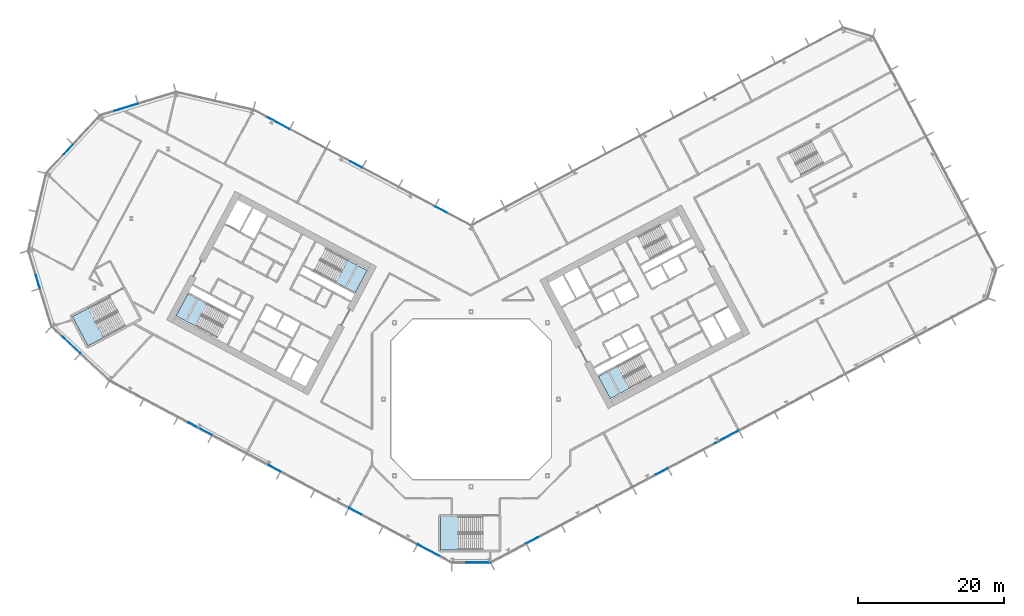
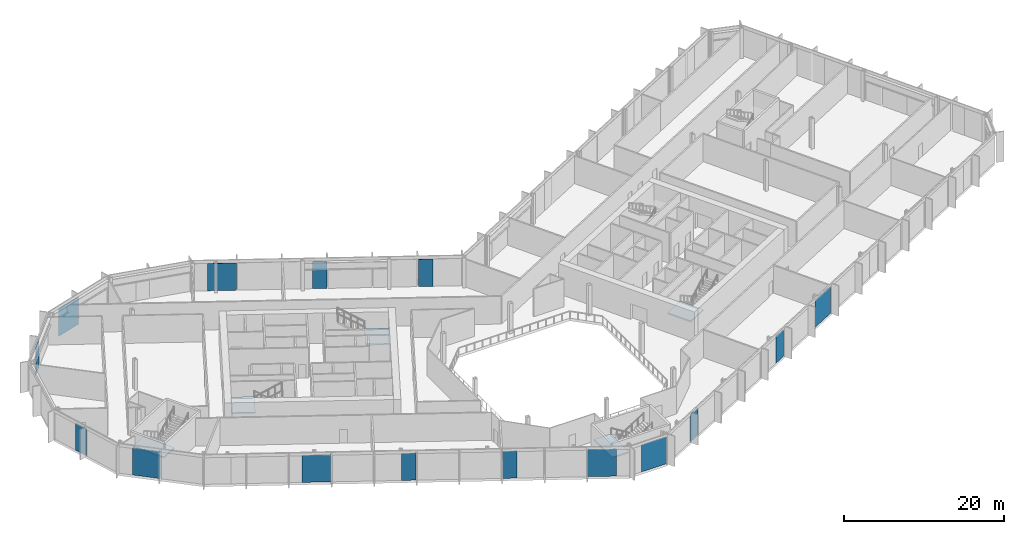
# One storey, part 10 of 31: 15 plates, 5 slabs, 13 elements without a shape of their own.
"""IFC4 building model written with IfcOpenShell, lengths in metres."""

from ifc_helpers import new_model, si_unit, direction, frame, origin, origin_2d, place, context, subcontext, project, spatial, polyline, rectangle, outline, extrude, material, layer, layer_set, type_object, element, aggregate, save


model = new_model("IFC4")

# Units and contexts
model_context = context("Model", 3, precision=1e-05, world=origin(), true_north=direction((0.0, 1.0)))
body_context = subcontext(model_context, "Body", "Model", "MODEL_VIEW")
ifc_project = project(units=[si_unit("LENGTHUNIT", "METRE"), si_unit("AREAUNIT", "SQUARE_METRE"), si_unit("VOLUMEUNIT", "CUBIC_METRE"), si_unit("PLANEANGLEUNIT", "RADIAN"), si_unit("MASSUNIT", "GRAM", prefix="KILO")], contexts=[model_context])

# Site, building, storey
site_placement = place(None, origin())
site = spatial("IfcSite", under=ifc_project, at=site_placement, CompositionType="ELEMENT")
building_placement = place(site_placement, origin())
building = spatial("IfcBuilding", under=site, at=building_placement, Name="Cormorant Relay Tower", CompositionType="ELEMENT")
storey_placement = place(building_placement, frame((0.0, 0.0, 98.39990234375)))
storey = spatial("IfcBuildingStorey", under=building, at=storey_placement, Name="L19", CompositionType="ELEMENT", Elevation=98.39990234375)

# Curtain wall, plates
ifc_material_1 = material(Name="Aluminium 6063-T6 anodised bronze", Category="aluminium")
ifc_layer_1 = layer(ifc_material_1, 0.199951171875)
ifc_layer_set_1 = layer_set([ifc_layer_1], Name="CW1 unitised bronze curtain wall with vertical fins")
curtain_wall_type = type_object("IfcCurtainWallType", Name="CW1 unitised bronze curtain wall with vertical fins", PredefinedType="NOTDEFINED", material=ifc_layer_set_1)
curtain_wall_1_placement = place(storey_placement, origin())
curtain_wall_1 = element("IfcCurtainWall", 1, at=curtain_wall_1_placement, inside=storey, type_object=curtain_wall_type, Name="CW1 curtain wall 2", PredefinedType="NOTDEFINED")
ifc_material_2 = material(Name="Tinted laminated glass", Category="glass")
ifc_layer_2 = layer(ifc_material_2, 0.0400390625)
ifc_layer_set_2 = layer_set([ifc_layer_2], Name="CW1 tinted vision panel 1800 module")
plate_type_1 = type_object("IfcPlateType", Name="CW1 tinted vision panel 1800 module", PredefinedType="CURTAIN_PANEL", material=ifc_layer_set_2)
plate_1_placement = place(storey_placement, frame((8.3857421875, -19.347900390625, 0.000244140625), z_axis=(0.0, 0.0, 1.0), x_axis=(0.882947592859, 0.469471562786, 0.0)))
plate_1 = element("IfcPlate", 2, at=plate_1_placement, type_object=plate_type_1, Name="CW1 panel V01", PredefinedType="CURTAIN_PANEL", context=body_context, shape_type="SweptSolid", body=[
    extrude(rectangle(XDim=1.800048828125, YDim=0.0400390625, at=origin_2d()), origin(), (0.0, 0.0, 1.0), 4.14990234375),
])
plate_2_placement = place(storey_placement, frame((26.130615234375, -9.91259765625, 0.000244140625), z_axis=(0.0, 0.0, 1.0), x_axis=(0.882947592859, 0.469471562786, 0.0)))
plate_2 = element("IfcPlate", 3, at=plate_2_placement, type_object=plate_type_1, Name="CW1 panel V04", PredefinedType="CURTAIN_PANEL", context=body_context, shape_type="SweptSolid", body=[
    extrude(rectangle(XDim=1.800048828125, YDim=0.0400390625, at=origin_2d()), origin(), (0.0, 0.0, 1.0), 4.14990234375),
])

curtain_wall_2_placement = place(storey_placement, origin())
curtain_wall_2 = element("IfcCurtainWall", 4, at=curtain_wall_2_placement, inside=storey, type_object=curtain_wall_type, Name="CW1 curtain wall 7", PredefinedType="NOTDEFINED")
plate_3_placement = place(storey_placement, frame((-4.108642578125, 25.9912109375, 0.000244140625), z_axis=(0.0, 0.0, 1.0), x_axis=(-0.882947592859, 0.469471562786, 0.0)))
plate_3 = element("IfcPlate", 5, at=plate_3_placement, type_object=plate_type_1, Name="CW1 panel V01", PredefinedType="CURTAIN_PANEL", context=body_context, shape_type="SweptSolid", body=[
    extrude(rectangle(XDim=1.800048828125, YDim=0.0400390625, at=origin_2d()), origin(), (0.0, 0.0, 1.0), 4.14990234375),
])
plate_4_placement = place(storey_placement, frame((-15.788330078125, 32.201416015625, 0.000244140625), z_axis=(0.0, 0.0, 1.0), x_axis=(-0.882947592859, 0.469471562786, 0.0)))
plate_4 = element("IfcPlate", 6, at=plate_4_placement, type_object=plate_type_1, Name="CW1 panel V04", PredefinedType="CURTAIN_PANEL", context=body_context, shape_type="SweptSolid", body=[
    extrude(rectangle(XDim=1.800048828125, YDim=0.0400390625, at=origin_2d()), origin(), (0.0, 0.0, 1.0), 4.14990234375),
])

# Curtain wall, plate
curtain_wall_3_placement = place(storey_placement, origin())
curtain_wall_3 = element("IfcCurtainWall", 7, at=curtain_wall_3_placement, inside=storey, type_object=curtain_wall_type, Name="CW1 curtain wall 10", PredefinedType="NOTDEFINED")
plate_5_placement = place(storey_placement, frame((-55.247314453125, 34.2607421875, 0.000244140625), z_axis=(0.0, 0.0, 1.0), x_axis=(-0.681998360062, -0.731353701619, 0.0)))
plate_5 = element("IfcPlate", 8, at=plate_5_placement, type_object=plate_type_1, Name="CW1 panel V01", PredefinedType="CURTAIN_PANEL", context=body_context, shape_type="SweptSolid", body=[
    extrude(rectangle(XDim=1.800048828125, YDim=0.0400390625, at=origin_2d()), origin(), (0.0, 0.0, 1.0), 4.14990234375),
])
aggregate(curtain_wall_3, [plate_5])

curtain_wall_4_placement = place(storey_placement, origin())
curtain_wall_4 = element("IfcCurtainWall", 9, at=curtain_wall_4_placement, inside=storey, type_object=curtain_wall_type, Name="CW1 curtain wall 12", PredefinedType="NOTDEFINED")
plate_6_placement = place(storey_placement, frame((-59.434814453125, 16.122314453125, 0.000244140625), z_axis=(0.0, 0.0, 1.0), x_axis=(0.292371704723, -0.956304755963, 0.0)))
plate_6 = element("IfcPlate", 10, at=plate_6_placement, type_object=plate_type_1, Name="CW1 panel V01", PredefinedType="CURTAIN_PANEL", context=body_context, shape_type="SweptSolid", body=[
    extrude(rectangle(XDim=1.800048828125, YDim=0.0400390625, at=origin_2d()), origin(), (0.0, 0.0, 1.0), 4.14990234375),
])
aggregate(curtain_wall_4, [plate_6])

# Curtain wall, plates
curtain_wall_5_placement = place(storey_placement, origin())
curtain_wall_5 = element("IfcCurtainWall", 11, at=curtain_wall_5_placement, inside=storey, type_object=curtain_wall_type, Name="CW1 curtain wall 14", PredefinedType="NOTDEFINED")
plate_7_placement = place(storey_placement, frame((-26.990478515625, -9.45556640625, 0.000244140625), z_axis=(0.0, 0.0, 1.0), x_axis=(0.882947592859, -0.469471562786, 0.0)))
plate_7 = element("IfcPlate", 12, at=plate_7_placement, type_object=plate_type_1, Name="CW1 panel V05", PredefinedType="CURTAIN_PANEL", context=body_context, shape_type="SweptSolid", body=[
    extrude(rectangle(XDim=1.800048828125, YDim=0.0400390625, at=origin_2d()), origin(), (0.0, 0.0, 1.0), 4.14990234375),
])
plate_8_placement = place(storey_placement, frame((-15.880126953125, -15.363037109375, 0.000244140625), z_axis=(0.0, 0.0, 1.0), x_axis=(0.882947592859, -0.469471562786, 0.0)))
plate_8 = element("IfcPlate", 13, at=plate_8_placement, type_object=plate_type_1, Name="CW1 panel V07", PredefinedType="CURTAIN_PANEL", context=body_context, shape_type="SweptSolid", body=[
    extrude(rectangle(XDim=1.800048828125, YDim=0.0400390625, at=origin_2d()), origin(), (0.0, 0.0, 1.0), 4.14990234375),
])

# Curtain wall, plate
curtain_wall_6_placement = place(storey_placement, origin())
curtain_wall_6 = element("IfcCurtainWall", 14, at=curtain_wall_6_placement, inside=storey, type_object=curtain_wall_type, Name="CW1 curtain wall 1", PredefinedType="NOTDEFINED")
ifc_material_3 = material(Name="Tinted laminated glass", Category="glass")
ifc_layer_3 = layer(ifc_material_3, 0.0400390625)
ifc_layer_set_3 = layer_set([ifc_layer_3], Name="CW1 tinted vision panel 3600 module")
plate_type_2 = type_object("IfcPlateType", Name="CW1 tinted vision panel 3600 module", PredefinedType="CURTAIN_PANEL", material=ifc_layer_set_3)
plate_9_placement = place(storey_placement, frame((0.848876953125, -22.3955078125, 0.000244140625), z_axis=(0.0, 0.0, 1.0), x_axis=(1.0, 0.0, 0.0)))
plate_9 = element("IfcPlate", 15, at=plate_9_placement, type_object=plate_type_2, Name="CW1 panel V01", PredefinedType="CURTAIN_PANEL", context=body_context, shape_type="SweptSolid", body=[
    extrude(rectangle(XDim=3.60009765625, YDim=0.0400390625, at=origin_2d()), origin(), (0.0, 0.0, 1.0), 4.14990234375),
])
aggregate(curtain_wall_6, [plate_9])

# Plate
plate_10_placement = place(storey_placement, frame((35.0693359375, -5.159912109375, 0.000244140625), z_axis=(0.0, 0.0, 1.0), x_axis=(0.882947592859, 0.469471562786, 0.0)))
plate_10 = element("IfcPlate", 16, at=plate_10_placement, type_object=plate_type_2, Name="CW1 panel V06", PredefinedType="CURTAIN_PANEL", context=body_context, shape_type="SweptSolid", body=[
    extrude(rectangle(XDim=3.60009765625, YDim=0.0400390625, at=origin_2d()), origin(), (0.0, 0.0, 1.0), 4.14990234375),
])

aggregate(curtain_wall_1, [plate_1, plate_2, plate_10])

plate_11_placement = place(storey_placement, frame((-26.541015625, 37.918701171875, 0.000244140625), z_axis=(0.0, 0.0, 1.0), x_axis=(-0.882947592859, 0.469471562786, 0.0)))
plate_11 = element("IfcPlate", 17, at=plate_11_placement, type_object=plate_type_2, Name="CW1 panel V06", PredefinedType="CURTAIN_PANEL", context=body_context, shape_type="SweptSolid", body=[
    extrude(rectangle(XDim=3.60009765625, YDim=0.0400390625, at=origin_2d()), origin(), (0.0, 0.0, 1.0), 4.14990234375),
])

aggregate(curtain_wall_2, [plate_3, plate_4, plate_11])

# Curtain wall, plate
curtain_wall_7_placement = place(storey_placement, origin())
curtain_wall_7 = element("IfcCurtainWall", 18, at=curtain_wall_7_placement, inside=storey, type_object=curtain_wall_type, Name="CW1 curtain wall 9", PredefinedType="NOTDEFINED")
plate_12_placement = place(storey_placement, frame((-47.462158203125, 39.995361328125, 0.000244140625), z_axis=(0.0, 0.0, 1.0), x_axis=(-0.956304755963, -0.292371704723, 0.0)))
plate_12 = element("IfcPlate", 19, at=plate_12_placement, type_object=plate_type_2, Name="CW1 panel V01", PredefinedType="CURTAIN_PANEL", context=body_context, shape_type="SweptSolid", body=[
    extrude(rectangle(XDim=3.60009765625, YDim=0.0400390625, at=origin_2d()), origin(), (0.0, 0.0, 1.0), 4.14990234375),
])
aggregate(curtain_wall_7, [plate_12])

curtain_wall_8_placement = place(storey_placement, origin())
curtain_wall_8 = element("IfcCurtainWall", 20, at=curtain_wall_8_placement, inside=storey, type_object=curtain_wall_type, Name="CW1 curtain wall 13", PredefinedType="NOTDEFINED")
plate_13_placement = place(storey_placement, frame((-54.951416015625, 7.55517578125, 0.000244140625), z_axis=(0.0, 0.0, 1.0), x_axis=(0.731353701619, -0.681998360062, 0.0)))
plate_13 = element("IfcPlate", 21, at=plate_13_placement, type_object=plate_type_2, Name="CW1 panel V01", PredefinedType="CURTAIN_PANEL", context=body_context, shape_type="SweptSolid", body=[
    extrude(rectangle(XDim=3.60009765625, YDim=0.0400390625, at=origin_2d()), origin(), (0.0, 0.0, 1.0), 4.14990234375),
])
aggregate(curtain_wall_8, [plate_13])

# Plate
plate_14_placement = place(storey_placement, frame((-37.173583984375, -4.041015625, 0.000244140625), z_axis=(0.0, 0.0, 1.0), x_axis=(0.882947592859, -0.469471562786, 0.0)))
plate_14 = element("IfcPlate", 22, at=plate_14_placement, type_object=plate_type_2, Name="CW1 panel V03", PredefinedType="CURTAIN_PANEL", context=body_context, shape_type="SweptSolid", body=[
    extrude(rectangle(XDim=3.60009765625, YDim=0.0400390625, at=origin_2d()), origin(), (0.0, 0.0, 1.0), 4.14990234375),
])

plate_15_placement = place(storey_placement, frame((-5.697021484375, -20.777587890625, 0.000244140625), z_axis=(0.0, 0.0, 1.0), x_axis=(0.882947592859, -0.469471562786, 0.0)))
plate_15 = element("IfcPlate", 23, at=plate_15_placement, type_object=plate_type_2, Name="CW1 panel V09", PredefinedType="CURTAIN_PANEL", context=body_context, shape_type="SweptSolid", body=[
    extrude(rectangle(XDim=3.60009765625, YDim=0.0400390625, at=origin_2d()), origin(), (0.0, 0.0, 1.0), 4.14990234375),
])

aggregate(curtain_wall_5, [plate_14, plate_7, plate_8, plate_15])

# Stair, slab
ifc_material_4 = material(Name="Concrete 40 MPa", Category="concrete")
stair_type_1 = type_object("IfcStairType", Name="Exit stair 1500", PredefinedType="HALF_TURN_STAIR", material=ifc_material_4)
stair_1_placement = place(storey_placement, origin())
stair_1 = element("IfcStair", 24, at=stair_1_placement, inside=storey, type_object=stair_type_1, Name="L19 Stair", PredefinedType="HALF_TURN_STAIR")
ifc_material_5 = material(Name="Concrete 40 MPa", Category="concrete")
ifc_layer_4 = layer(ifc_material_5, 0.199951171875)
ifc_layer_set_4 = layer_set([ifc_layer_4], Name="Exit stair landing 200")
slab_type = type_object("IfcSlabType", Name="Exit stair landing 200", PredefinedType="LANDING", material=ifc_layer_set_4)
slab_1_placement = place(storey_placement, frame((0.0, 0.0, 2.10009765625)))
slab_1 = element("IfcSlab", 25, at=slab_1_placement, type_object=slab_type, Name="A1 landing 1", PredefinedType="LANDING", context=body_context, shape_type="SweptSolid", body=[
    extrude(outline(polyline([(-18.534912109375, 16.02783203125), (-15.89501953125, 14.6240234375), (-14.275390625, 17.670166015625), (-16.915283203125, 19.073974609375), (-18.534912109375, 16.02783203125)])), origin(), (0.0, 0.0, 1.0), 0.199951171875),
])
aggregate(stair_1, [slab_1])

stair_2_placement = place(storey_placement, origin())
stair_2 = element("IfcStair", 26, at=stair_2_placement, inside=storey, type_object=stair_type_1, Name="L19 Stair", PredefinedType="HALF_TURN_STAIR")
slab_2_placement = place(storey_placement, frame((0.0, 0.0, 2.10009765625)))
slab_2 = element("IfcSlab", 27, at=slab_2_placement, type_object=slab_type, Name="A2 landing 1", PredefinedType="LANDING", context=body_context, shape_type="SweptSolid", body=[
    extrude(outline(polyline([(-36.207763671875, 13.07958984375), (-38.84765625, 14.483154296875), (-40.467529296875, 11.43701171875), (-37.827392578125, 10.033447265625), (-36.207763671875, 13.07958984375)])), origin(), (0.0, 0.0, 1.0), 0.199951171875),
])
aggregate(stair_2, [slab_2])

stair_3_placement = place(storey_placement, origin())
stair_3 = element("IfcStair", 28, at=stair_3_placement, inside=storey, type_object=stair_type_1, Name="L19 Stair", PredefinedType="HALF_TURN_STAIR")
slab_3_placement = place(storey_placement, frame((0.0, 0.0, 2.10009765625)))
slab_3 = element("IfcSlab", 29, at=slab_3_placement, type_object=slab_type, Name="B1 landing 1", PredefinedType="LANDING", context=body_context, shape_type="SweptSolid", body=[
    extrude(outline(polyline([(20.120361328125, 4.525634765625), (17.48046875, 3.1220703125), (19.10009765625, 0.075927734375), (21.740234375, 1.4794921875), (20.120361328125, 4.525634765625)])), origin(), (0.0, 0.0, 1.0), 0.199951171875),
])
aggregate(stair_3, [slab_3])

ifc_material_6 = material(Name="Concrete 40 MPa", Category="concrete")
stair_type_2 = type_object("IfcStairType", Name="Remote exit stair 2200", PredefinedType="HALF_TURN_STAIR", material=ifc_material_6)
stair_4_placement = place(storey_placement, origin())
stair_4 = element("IfcStair", 30, at=stair_4_placement, inside=storey, type_object=stair_type_2, Name="L19 Stair", PredefinedType="HALF_TURN_STAIR")
slab_4_placement = place(storey_placement, frame((0.0, 0.0, 2.10009765625)))
slab_4 = element("IfcSlab", 31, at=slab_4_placement, type_object=slab_type, Name="RK1 landing 1", PredefinedType="LANDING", context=body_context, shape_type="SweptSolid", body=[
    extrude(outline(polyline([(-1.760009765625, -16.125), (-4.199951171875, -16.125), (-4.199951171875, -20.675048828125), (-1.760009765625, -20.675048828125), (-1.760009765625, -16.125)])), origin(), (0.0, 0.0, 1.0), 0.199951171875),
])
aggregate(stair_4, [slab_4])

stair_5_placement = place(storey_placement, origin())
stair_5 = element("IfcStair", 32, at=stair_5_placement, inside=storey, type_object=stair_type_2, Name="L19 Stair", PredefinedType="HALF_TURN_STAIR")
slab_5_placement = place(storey_placement, frame((0.0, 0.0, 2.10009765625)))
slab_5 = element("IfcSlab", 33, at=slab_5_placement, type_object=slab_type, Name="RP1 landing 1", PredefinedType="LANDING", context=body_context, shape_type="SweptSolid", body=[
    extrude(outline(polyline([(-52.54541015625, 12.476318359375), (-54.699951171875, 11.330810546875), (-52.563720703125, 7.3134765625), (-50.409423828125, 8.458984375), (-52.54541015625, 12.476318359375)])), origin(), (0.0, 0.0, 1.0), 0.199951171875),
])
aggregate(stair_5, [slab_5])

save(model, "model.ifc")
